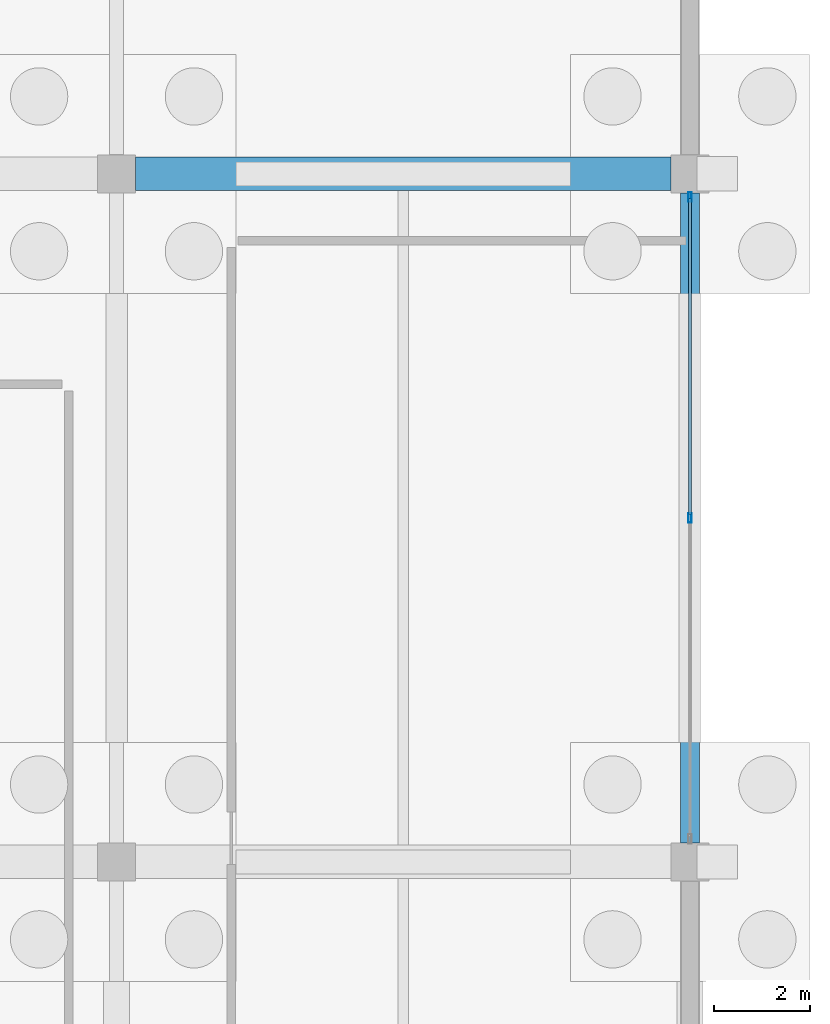
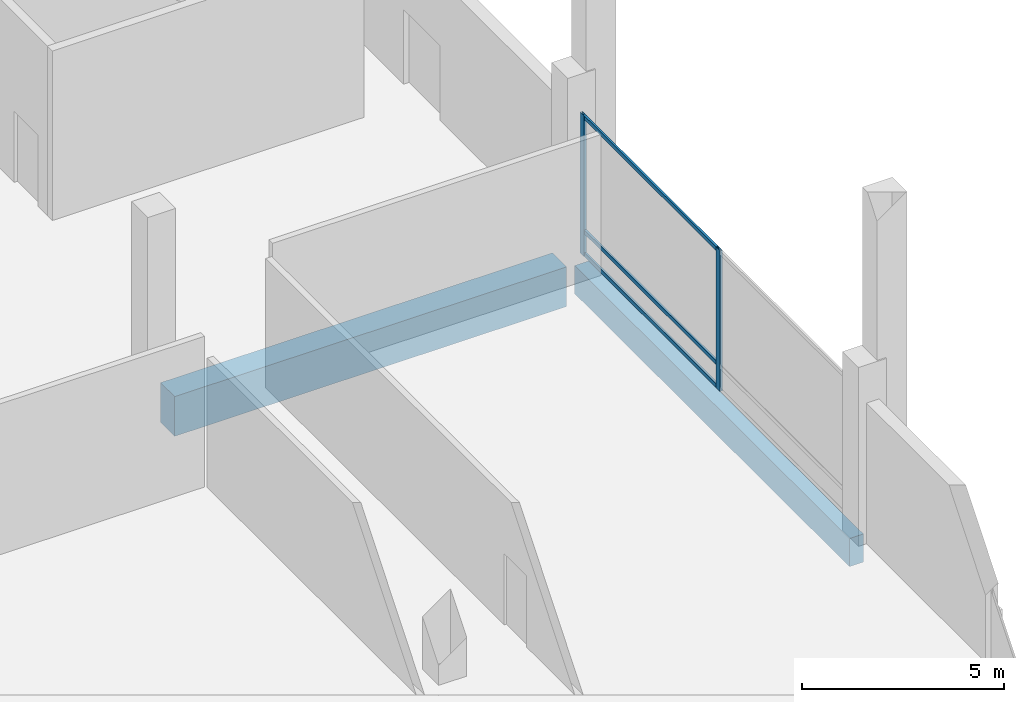
# One storey, part 118 of 192: 5 members, 2 beams, 1 element without a shape of its own.
"""IFC4 building model written with IfcOpenShell, lengths in metres."""

import ifcopenshell
import ifcopenshell.guid

model = None  # the IFC model being written
_history = None  # IfcOwnerHistory: only IFC2X3 demands one
_inside = {}  # id of a spatial element -> (the spatial element, [elements in it])
_under = {}  # id of a project, library or spatial element -> (it, [spatial elements below it])
_declared = {}  # id of a project -> (the project, [libraries it declares])
_typed = {}  # id of a type object -> (the type object, [elements of that type])
_made_of = {}  # id of a material, layer set ... -> (it, [elements and type objects made of it])


def new_model(schema):
    """Start an empty IFC model of exactly this schema.

    Asked for "IFC4X3", IfcOpenShell would pick the latest addendum, in which some entities
    have other attributes; the version numbers below select the first issue.
    IFC2X3 requires an IfcOwnerHistory on every rooted entity: one is made here for all.
    """
    global model, _history
    if schema == "IFC4X3":
        model = ifcopenshell.file(schema_version=(4, 3, 0, 0))
    else:
        model = ifcopenshell.file(schema=schema)
    _inside.clear()
    _under.clear()
    _declared.clear()
    _typed.clear()
    _made_of.clear()
    _history = None
    if model.schema == "IFC2X3":
        org = make("IfcOrganization", Name="unknown")
        user = make(
            "IfcPersonAndOrganization",
            ThePerson=make("IfcPerson", FamilyName="unknown"),
            TheOrganization=org,
        )
        app = make(
            "IfcApplication",
            ApplicationDeveloper=org,
            Version="unknown",
            ApplicationFullName="unknown",
            ApplicationIdentifier="unknown",
        )
        _history = make(
            "IfcOwnerHistory",
            OwningUser=user,
            OwningApplication=app,
            ChangeAction="ADDED",
            CreationDate=0,
        )
    return model


def make(cls, **values):
    """One entity of the class cls with the attributes given. An attribute that is None is left unset."""
    return model.create_entity(
        cls, **{name: value for name, value in values.items() if value is not None}
    )


def rooted(cls, **values):
    """An entity with a GlobalId (a new one), such as an element, a storey or a relation."""
    return make(cls, GlobalId=ifcopenshell.guid.new(), OwnerHistory=_history, **values)


def si_unit(unit_type, name, prefix=None):
    """IfcSIUnit, for example si_unit("LENGTHUNIT", "METRE", prefix="MILLI")."""
    return make("IfcSIUnit", UnitType=unit_type, Prefix=prefix, Name=name)


def assignment(units):
    """IfcUnitAssignment: the units of a project."""
    return None if units is None else make("IfcUnitAssignment", Units=units)


def point(xyz):
    """IfcCartesianPoint."""
    return None if xyz is None else make("IfcCartesianPoint", Coordinates=xyz)


def direction(xyz):
    """IfcDirection."""
    return None if xyz is None else make("IfcDirection", DirectionRatios=xyz)


def frame(location, z_axis=None, x_axis=None):
    """IfcAxis2Placement3D, a coordinate frame: its origin and axes. An axis left out is left unset."""
    return make(
        "IfcAxis2Placement3D",
        Location=point(location),
        Axis=direction(z_axis),
        RefDirection=direction(x_axis),
    )


def frame_2d(location, x_axis=None):
    """IfcAxis2Placement2D, a coordinate frame in the plane: its origin and x axis."""
    return make(
        "IfcAxis2Placement2D", Location=point(location), RefDirection=direction(x_axis)
    )


def origin():
    """The frame at (0, 0, 0) with its axes left unset."""
    return frame((0.0, 0.0, 0.0))


def origin_2d():
    """The frame at (0, 0) in the plane with its x axis left unset."""
    return frame_2d((0.0, 0.0))


def place(relative_to, where):
    """IfcLocalPlacement: puts the frame where relative to a parent placement (None: the world)."""
    return make(
        "IfcLocalPlacement", PlacementRelTo=relative_to, RelativePlacement=where
    )


def context(
    kind, dimensions, precision=None, world=None, true_north=None, identifier=None
):
    """IfcGeometricRepresentationContext, for example the 3D "Model" context."""
    return make(
        "IfcGeometricRepresentationContext",
        ContextIdentifier=identifier,
        ContextType=kind,
        CoordinateSpaceDimension=dimensions,
        Precision=precision,
        WorldCoordinateSystem=world,
        TrueNorth=true_north,
    )


def subcontext(parent, identifier, kind, view, scale=None):
    """IfcGeometricRepresentationSubContext, for example "Body" below "Model"."""
    return make(
        "IfcGeometricRepresentationSubContext",
        ContextIdentifier=identifier,
        ContextType=kind,
        ParentContext=parent,
        TargetScale=scale,
        TargetView=view,
    )


def project(units=None, contexts=None):
    """IfcProject with its units and contexts."""
    return rooted(
        "IfcProject",
        Name="project",
        RepresentationContexts=contexts,
        UnitsInContext=assignment(units),
    )


def spatial(cls, under=None, at=None, **own):
    """A site, building, storey or space (cls), placed at a placement, below another one or the project."""
    s = rooted(cls, ObjectPlacement=at, **own)
    if under is not None:
        _under.setdefault(under.id(), (under, []))[1].append(s)
    return s


def profile(cls, at=None, kind="AREA", **sizes):
    """A parametric profile (cls). Its sizes go by their IFC names, for example OverallWidth=200.0."""
    return make(cls, ProfileType=kind, Position=at, **sizes)


def rectangle(**sizes):
    """IfcRectangleProfileDef."""
    return profile("IfcRectangleProfileDef", **sizes)


def hollow_rectangle(**sizes):
    """IfcRectangleHollowProfileDef."""
    return profile("IfcRectangleHollowProfileDef", **sizes)


def extrude(swept, where, along, depth):
    """IfcExtrudedAreaSolid: the profile swept, set in the frame where, extruded along a direction by depth."""
    return make(
        "IfcExtrudedAreaSolid",
        SweptArea=swept,
        Position=where,
        ExtrudedDirection=direction(along),
        Depth=depth,
    )


def shape(context_of_items, identifier, shape_type, items):
    """IfcShapeRepresentation: the items that make up one representation, for example the "Body"."""
    return make(
        "IfcShapeRepresentation",
        ContextOfItems=context_of_items,
        RepresentationIdentifier=identifier,
        RepresentationType=shape_type,
        Items=items,
    )


def material(Name=None, Category=None):
    """IfcMaterial."""
    return make("IfcMaterial", Name=Name, Category=Category)


def material_profile(
    of_material, cross_section, Name=None, Category=None, Priority=None
):
    """IfcMaterialProfile: a cross section and its material."""
    return make(
        "IfcMaterialProfile",
        Name=Name,
        Material=of_material,
        Profile=cross_section,
        Priority=Priority,
        Category=Category,
    )


def profile_set(profiles, Name=None, composite=None):
    """IfcMaterialProfileSet."""
    return make(
        "IfcMaterialProfileSet",
        Name=Name,
        MaterialProfiles=profiles,
        CompositeProfile=composite,
    )


def made_of(thing, what):
    """Note that an element or type object is made of a material, layer set ...; save() writes the relation."""
    if what is not None:
        _made_of.setdefault(what.id(), (what, []))[1].append(thing)
    return thing


def type_object(cls, material=None, **own):
    """A type object (cls), such as IfcWallType, which elements share."""
    return made_of(rooted(cls, **own), material)


def element(
    cls,
    number,
    at=None,
    inside=None,
    cuts=None,
    type_object=None,
    material=None,
    context=None,
    identifier="Body",
    shape_type=None,
    held_by="IfcProductDefinitionShape",
    body=None,
    shapes=None,
    **own,
):
    """One element of the class cls, such as IfcWall. Its Tag is "e" and its number.

    at: its placement. inside: the storey or other place that contains it. cuts: it is an
    opening in that element (IfcRelVoidsElement). A single representation is given by context,
    identifier, shape_type and body (its items); several are given by shapes. held_by: the class
    of the entity that holds the representations. save() writes the other relations.
    """
    e = rooted(cls, Tag="e%d" % number, ObjectPlacement=at, **own)
    if body is not None:
        shapes = [shape(context, identifier, shape_type, body)]
    if shapes is not None:
        e.Representation = make(held_by, Representations=shapes)
    if inside is not None:
        _inside.setdefault(inside.id(), (inside, []))[1].append(e)
    if cuts is not None:
        rooted(
            "IfcRelVoidsElement", RelatingBuildingElement=cuts, RelatedOpeningElement=e
        )
    if type_object is not None:
        _typed.setdefault(type_object.id(), (type_object, []))[1].append(e)
    return made_of(e, material)


def aggregate(whole, parts):
    """IfcRelAggregates: a whole, such as a stair, and the parts it consists of."""
    return rooted("IfcRelAggregates", RelatingObject=whole, RelatedObjects=parts)


def save(model, path):
    """Write the relations noted so far, then the file.

    IfcRelAggregates (storeys below a building ...), IfcRelContainedInSpatialStructure (elements
    in a storey), IfcRelDefinesByType, IfcRelAssociatesMaterial and IfcRelDeclares: one each for
    every whole, place, type object, material and project.
    """
    for whole, parts in _under.values():
        aggregate(whole, parts)
    for where, things in _inside.values():
        rooted(
            "IfcRelContainedInSpatialStructure",
            RelatedElements=things,
            RelatingStructure=where,
        )
    for kind, things in _typed.values():
        rooted("IfcRelDefinesByType", RelatedObjects=things, RelatingType=kind)
    for what, things in _made_of.values():
        rooted("IfcRelAssociatesMaterial", RelatedObjects=things, RelatingMaterial=what)
    for by, libraries in _declared.values():
        rooted("IfcRelDeclares", RelatingContext=by, RelatedDefinitions=libraries)
    model.write(path)


model = new_model("IFC4")

# Units and contexts
model_context = context("Model", 3, precision=1e-05, world=origin(), true_north=direction((0.0, 1.0)))
body_context = subcontext(model_context, "Body", "Model", "MODEL_VIEW")
ifc_project = project(units=[si_unit("LENGTHUNIT", "METRE"), si_unit("AREAUNIT", "SQUARE_METRE"), si_unit("VOLUMEUNIT", "CUBIC_METRE"), si_unit("PLANEANGLEUNIT", "RADIAN"), si_unit("MASSUNIT", "GRAM", prefix="KILO")], contexts=[model_context])

# Site, building, storey
site_placement = place(None, origin())
site = spatial("IfcSite", under=ifc_project, at=site_placement, CompositionType="ELEMENT")
building_placement = place(site_placement, origin())
building = spatial("IfcBuilding", under=site, at=building_placement, Name="Cendralis Lancet Convention Centre", CompositionType="ELEMENT")
storey_placement = place(building_placement, origin())
storey = spatial("IfcBuildingStorey", under=building, at=storey_placement, Name="L00", CompositionType="ELEMENT", Elevation=0.0)

# Curtain wall, members
ifc_material_1 = material(Name="Anodised bronze architectural aluminium", Category="aluminium")
curtain_wall_type = type_object("IfcCurtainWallType", Name="ARC-CW-BL02", PredefinedType="USERDEFINED", material=ifc_material_1)
curtain_wall_placement = place(storey_placement, origin())
curtain_wall = element("IfcCurtainWall", 1, at=curtain_wall_placement, inside=storey, type_object=curtain_wall_type, Name="L00 Curtain Wall CW-BL2 #147", ObjectType="CURTAIN WALL", PredefinedType="USERDEFINED")
ifc_material_profile_1 = material_profile(ifc_material_1, hollow_rectangle(XDim=0.070068359375, YDim=0.199951171875, WallThickness=0.0048828125, at=origin_2d()), Name="AL-MULL 70x200x5.0")
ifc_profile_set_1 = profile_set([ifc_material_profile_1], Name="Anodised bronze architectural aluminium")
member_type_1 = type_object("IfcMemberType", Name="ARC-CW-ML02", PredefinedType="MULLION", material=ifc_profile_set_1)
member_1_placement = place(storey_placement, frame((208.800048828125, 121.9150390625, 0.0), z_axis=(0.0, 0.0, 1.0), x_axis=(1.0, 0.0, 0.0)))
member_1 = element("IfcMember", 2, at=member_1_placement, type_object=member_type_1, Name="Mullion CW2-CW-BL2-L00-147-M0", PredefinedType="MULLION", context=body_context, shape_type="SweptSolid", body=[
    extrude(hollow_rectangle(XDim=0.070068359375, YDim=0.199951171875, WallThickness=0.0048828125, at=origin_2d()), origin(), (0.0, 0.0, 1.0), 4.2548828125),
])
member_2_placement = place(storey_placement, frame((208.800048828125, 115.199951171875, 0.0), z_axis=(0.0, 0.0, 1.0), x_axis=(1.0, 0.0, 0.0)))
member_2 = element("IfcMember", 3, at=member_2_placement, type_object=member_type_1, Name="Mullion CW2-CW-BL2-L00-147-M1", PredefinedType="MULLION", context=body_context, shape_type="SweptSolid", body=[
    extrude(hollow_rectangle(XDim=0.070068359375, YDim=0.199951171875, WallThickness=0.0048828125, at=origin_2d()), origin(), (0.0, 0.0, 1.0), 4.2548828125),
])
ifc_material_profile_2 = material_profile(ifc_material_1, hollow_rectangle(XDim=0.06005859375, YDim=0.1201171875, WallThickness=0.00390625, at=origin_2d()), Name="AL-TRAN 60x120x4.0")
ifc_profile_set_2 = profile_set([ifc_material_profile_2], Name="Anodised bronze architectural aluminium")
member_type_2 = type_object("IfcMemberType", Name="ARC-CW-TR01", PredefinedType="USERDEFINED", material=ifc_profile_set_2)
member_3_placement = place(storey_placement, frame((208.800048828125, 121.8798828125, 0.06005859375), z_axis=(0.0, -1.0, 0.0), x_axis=(1.0, 0.0, 0.0)))
member_3 = element("IfcMember", 4, at=member_3_placement, type_object=member_type_2, Name="Transom CW2-CW-BL2-L00-147-T0BOT", ObjectType="TRANSOM", PredefinedType="USERDEFINED", context=body_context, shape_type="SweptSolid", body=[
    extrude(hollow_rectangle(XDim=0.06005859375, YDim=0.1201171875, WallThickness=0.00390625, at=origin_2d()), origin(), (0.0, 0.0, 1.0), 6.60986328125),
])
member_4_placement = place(storey_placement, frame((208.800048828125, 121.8798828125, 0.75), z_axis=(0.0, -1.0, 0.0), x_axis=(1.0, 0.0, 0.0)))
member_4 = element("IfcMember", 5, at=member_4_placement, type_object=member_type_2, Name="Transom CW2-CW-BL2-L00-147-T0MID", ObjectType="TRANSOM", PredefinedType="USERDEFINED", context=body_context, shape_type="SweptSolid", body=[
    extrude(hollow_rectangle(XDim=0.06005859375, YDim=0.1201171875, WallThickness=0.00390625, at=origin_2d()), origin(), (0.0, 0.0, 1.0), 6.60986328125),
])
member_5_placement = place(storey_placement, frame((208.800048828125, 121.8798828125, 4.195068359375), z_axis=(0.0, -1.0, 0.0), x_axis=(1.0, 0.0, 0.0)))
member_5 = element("IfcMember", 6, at=member_5_placement, type_object=member_type_2, Name="Transom CW2-CW-BL2-L00-147-T0TOP", ObjectType="TRANSOM", PredefinedType="USERDEFINED", context=body_context, shape_type="SweptSolid", body=[
    extrude(hollow_rectangle(XDim=0.06005859375, YDim=0.1201171875, WallThickness=0.00390625, at=origin_2d()), origin(), (0.0, 0.0, 1.0), 6.60986328125),
])
aggregate(curtain_wall, [member_1, member_2, member_3, member_4, member_5])

# Beams
ifc_material_2 = material(Name="Concrete G40 (C40/50)", Category="concrete")
ifc_material_profile_3 = material_profile(ifc_material_2, rectangle(XDim=0.699951171875, YDim=1.199951171875, at=origin_2d()), Name="RCB 700x1200")
ifc_profile_set_3 = profile_set([ifc_material_profile_3], Name="Concrete G40 (C40/50)")
beam_type_1 = type_object("IfcBeamType", Name="STR-BM-BG01", PredefinedType="BEAM", material=ifc_profile_set_3)
beam_1_placement = place(storey_placement, frame((197.199951171875, 122.39990234375, -0.919921875), z_axis=(1.0, 0.0, 0.0), x_axis=(0.0, 1.0, 0.0)))
element("IfcBeam", 7, at=beam_1_placement, inside=storey, type_object=beam_type_1, Name="L00 Beam BG01 #1598", PredefinedType="BEAM", context=body_context, shape_type="SweptSolid", body=[
    extrude(rectangle(XDim=0.699951171875, YDim=1.199951171875, at=origin_2d()), origin(), (0.0, 0.0, 1.0), 11.199951171875),
])
ifc_material_profile_4 = material_profile(ifc_material_2, rectangle(XDim=0.39990234375, YDim=0.85009765625, at=origin_2d()), Name="RCB 400x850")
ifc_profile_set_4 = profile_set([ifc_material_profile_4], Name="Concrete G40 (C40/50)")
beam_type_2 = type_object("IfcBeamType", Name="STR-SP-SP02", PredefinedType="SPANDREL", material=ifc_profile_set_4)
beam_2_placement = place(storey_placement, frame((208.800048828125, 108.39990234375, -0.7451171875), z_axis=(0.0, 1.0, 0.0), x_axis=(-1.0, 0.0, 0.0)))
element("IfcBeam", 8, at=beam_2_placement, inside=storey, type_object=beam_type_2, Name="L00 Beam SP02 #1624", PredefinedType="SPANDREL", context=body_context, shape_type="SweptSolid", body=[
    extrude(rectangle(XDim=0.39990234375, YDim=0.85009765625, at=origin_2d()), origin(), (0.0, 0.0, 1.0), 13.60009765625),
])

save(model, "model.ifc")
